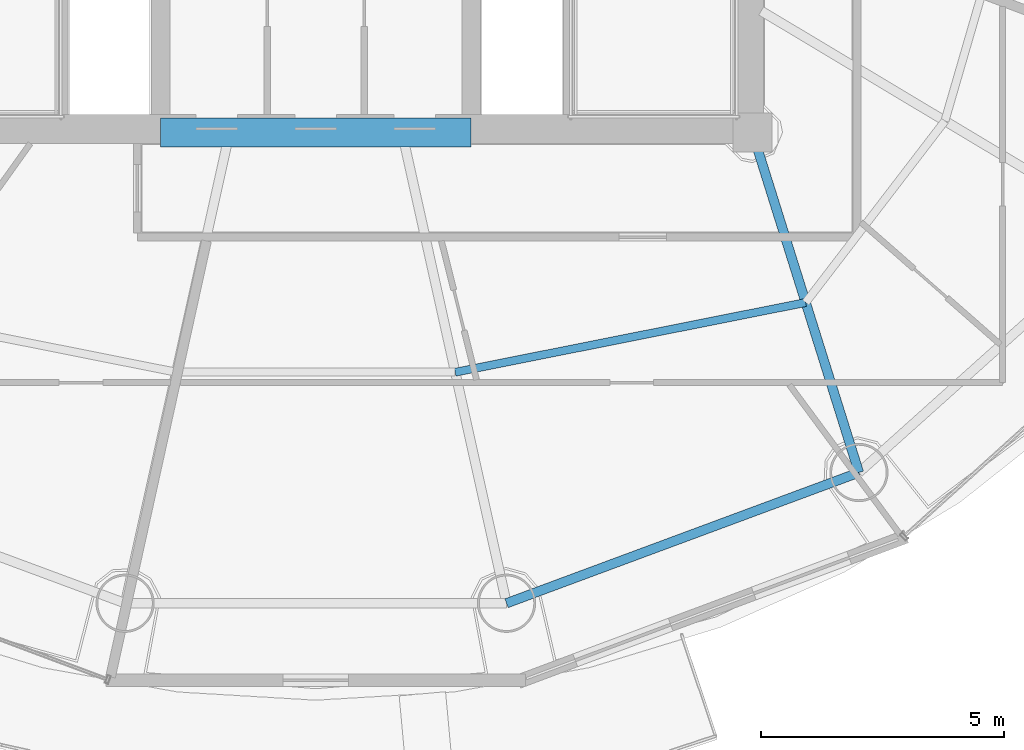
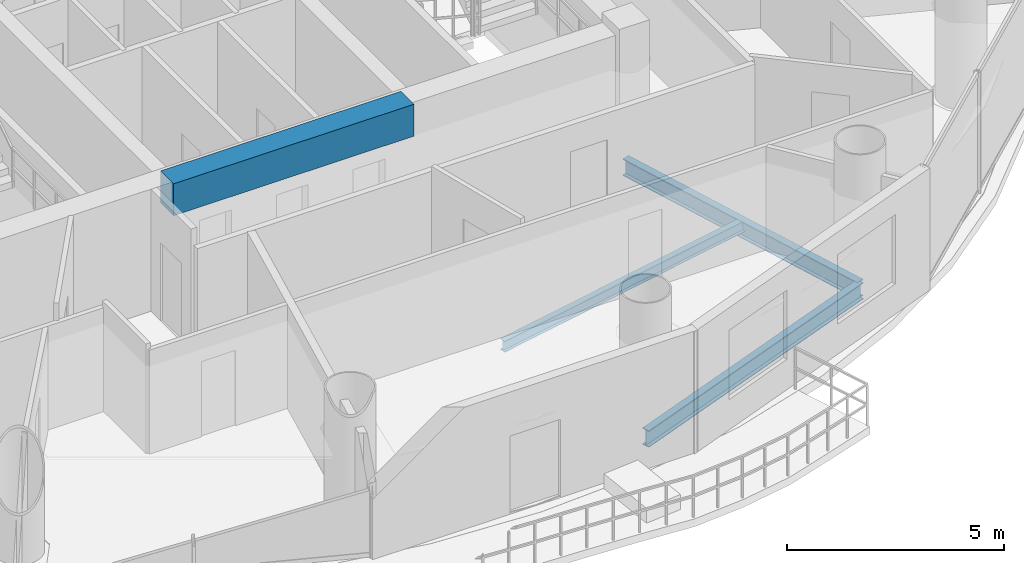
# One storey, part 6 of 26: 4 beams.
"""IFC4 building model written with IfcOpenShell, lengths in metres."""

import ifcopenshell
import ifcopenshell.guid

model = None  # the IFC model being written
_history = None  # IfcOwnerHistory: only IFC2X3 demands one
_inside = {}  # id of a spatial element -> (the spatial element, [elements in it])
_under = {}  # id of a project, library or spatial element -> (it, [spatial elements below it])
_declared = {}  # id of a project -> (the project, [libraries it declares])
_typed = {}  # id of a type object -> (the type object, [elements of that type])
_made_of = {}  # id of a material, layer set ... -> (it, [elements and type objects made of it])


def new_model(schema):
    """Start an empty IFC model of exactly this schema.

    Asked for "IFC4X3", IfcOpenShell would pick the latest addendum, in which some entities
    have other attributes; the version numbers below select the first issue.
    IFC2X3 requires an IfcOwnerHistory on every rooted entity: one is made here for all.
    """
    global model, _history
    if schema == "IFC4X3":
        model = ifcopenshell.file(schema_version=(4, 3, 0, 0))
    else:
        model = ifcopenshell.file(schema=schema)
    _inside.clear()
    _under.clear()
    _declared.clear()
    _typed.clear()
    _made_of.clear()
    _history = None
    if model.schema == "IFC2X3":
        org = make("IfcOrganization", Name="unknown")
        user = make(
            "IfcPersonAndOrganization",
            ThePerson=make("IfcPerson", FamilyName="unknown"),
            TheOrganization=org,
        )
        app = make(
            "IfcApplication",
            ApplicationDeveloper=org,
            Version="unknown",
            ApplicationFullName="unknown",
            ApplicationIdentifier="unknown",
        )
        _history = make(
            "IfcOwnerHistory",
            OwningUser=user,
            OwningApplication=app,
            ChangeAction="ADDED",
            CreationDate=0,
        )
    return model


def make(cls, **values):
    """One entity of the class cls with the attributes given. An attribute that is None is left unset."""
    return model.create_entity(
        cls, **{name: value for name, value in values.items() if value is not None}
    )


def rooted(cls, **values):
    """An entity with a GlobalId (a new one), such as an element, a storey or a relation."""
    return make(cls, GlobalId=ifcopenshell.guid.new(), OwnerHistory=_history, **values)


def si_unit(unit_type, name, prefix=None):
    """IfcSIUnit, for example si_unit("LENGTHUNIT", "METRE", prefix="MILLI")."""
    return make("IfcSIUnit", UnitType=unit_type, Prefix=prefix, Name=name)


def assignment(units):
    """IfcUnitAssignment: the units of a project."""
    return None if units is None else make("IfcUnitAssignment", Units=units)


def point(xyz):
    """IfcCartesianPoint."""
    return None if xyz is None else make("IfcCartesianPoint", Coordinates=xyz)


def direction(xyz):
    """IfcDirection."""
    return None if xyz is None else make("IfcDirection", DirectionRatios=xyz)


def frame(location, z_axis=None, x_axis=None):
    """IfcAxis2Placement3D, a coordinate frame: its origin and axes. An axis left out is left unset."""
    return make(
        "IfcAxis2Placement3D",
        Location=point(location),
        Axis=direction(z_axis),
        RefDirection=direction(x_axis),
    )


def frame_2d(location, x_axis=None):
    """IfcAxis2Placement2D, a coordinate frame in the plane: its origin and x axis."""
    return make(
        "IfcAxis2Placement2D", Location=point(location), RefDirection=direction(x_axis)
    )


def origin():
    """The frame at (0, 0, 0) with its axes left unset."""
    return frame((0.0, 0.0, 0.0))


def origin_2d():
    """The frame at (0, 0) in the plane with its x axis left unset."""
    return frame_2d((0.0, 0.0))


def place(relative_to, where):
    """IfcLocalPlacement: puts the frame where relative to a parent placement (None: the world)."""
    return make(
        "IfcLocalPlacement", PlacementRelTo=relative_to, RelativePlacement=where
    )


def context(
    kind, dimensions, precision=None, world=None, true_north=None, identifier=None
):
    """IfcGeometricRepresentationContext, for example the 3D "Model" context."""
    return make(
        "IfcGeometricRepresentationContext",
        ContextIdentifier=identifier,
        ContextType=kind,
        CoordinateSpaceDimension=dimensions,
        Precision=precision,
        WorldCoordinateSystem=world,
        TrueNorth=true_north,
    )


def subcontext(parent, identifier, kind, view, scale=None):
    """IfcGeometricRepresentationSubContext, for example "Body" below "Model"."""
    return make(
        "IfcGeometricRepresentationSubContext",
        ContextIdentifier=identifier,
        ContextType=kind,
        ParentContext=parent,
        TargetScale=scale,
        TargetView=view,
    )


def project(units=None, contexts=None):
    """IfcProject with its units and contexts."""
    return rooted(
        "IfcProject",
        Name="project",
        RepresentationContexts=contexts,
        UnitsInContext=assignment(units),
    )


def spatial(cls, under=None, at=None, **own):
    """A site, building, storey or space (cls), placed at a placement, below another one or the project."""
    s = rooted(cls, ObjectPlacement=at, **own)
    if under is not None:
        _under.setdefault(under.id(), (under, []))[1].append(s)
    return s


def profile(cls, at=None, kind="AREA", **sizes):
    """A parametric profile (cls). Its sizes go by their IFC names, for example OverallWidth=200.0."""
    return make(cls, ProfileType=kind, Position=at, **sizes)


def rectangle(**sizes):
    """IfcRectangleProfileDef."""
    return profile("IfcRectangleProfileDef", **sizes)


def i_section(**sizes):
    """IfcIShapeProfileDef."""
    return profile("IfcIShapeProfileDef", **sizes)


def extrude(swept, where, along, depth):
    """IfcExtrudedAreaSolid: the profile swept, set in the frame where, extruded along a direction by depth."""
    return make(
        "IfcExtrudedAreaSolid",
        SweptArea=swept,
        Position=where,
        ExtrudedDirection=direction(along),
        Depth=depth,
    )


def shape(context_of_items, identifier, shape_type, items):
    """IfcShapeRepresentation: the items that make up one representation, for example the "Body"."""
    return make(
        "IfcShapeRepresentation",
        ContextOfItems=context_of_items,
        RepresentationIdentifier=identifier,
        RepresentationType=shape_type,
        Items=items,
    )


def material(Name=None, Category=None):
    """IfcMaterial."""
    return make("IfcMaterial", Name=Name, Category=Category)


def material_profile(
    of_material, cross_section, Name=None, Category=None, Priority=None
):
    """IfcMaterialProfile: a cross section and its material."""
    return make(
        "IfcMaterialProfile",
        Name=Name,
        Material=of_material,
        Profile=cross_section,
        Priority=Priority,
        Category=Category,
    )


def profile_set(profiles, Name=None, composite=None):
    """IfcMaterialProfileSet."""
    return make(
        "IfcMaterialProfileSet",
        Name=Name,
        MaterialProfiles=profiles,
        CompositeProfile=composite,
    )


def made_of(thing, what):
    """Note that an element or type object is made of a material, layer set ...; save() writes the relation."""
    if what is not None:
        _made_of.setdefault(what.id(), (what, []))[1].append(thing)
    return thing


def type_object(cls, material=None, **own):
    """A type object (cls), such as IfcWallType, which elements share."""
    return made_of(rooted(cls, **own), material)


def element(
    cls,
    number,
    at=None,
    inside=None,
    cuts=None,
    type_object=None,
    material=None,
    context=None,
    identifier="Body",
    shape_type=None,
    held_by="IfcProductDefinitionShape",
    body=None,
    shapes=None,
    **own,
):
    """One element of the class cls, such as IfcWall. Its Tag is "e" and its number.

    at: its placement. inside: the storey or other place that contains it. cuts: it is an
    opening in that element (IfcRelVoidsElement). A single representation is given by context,
    identifier, shape_type and body (its items); several are given by shapes. held_by: the class
    of the entity that holds the representations. save() writes the other relations.
    """
    e = rooted(cls, Tag="e%d" % number, ObjectPlacement=at, **own)
    if body is not None:
        shapes = [shape(context, identifier, shape_type, body)]
    if shapes is not None:
        e.Representation = make(held_by, Representations=shapes)
    if inside is not None:
        _inside.setdefault(inside.id(), (inside, []))[1].append(e)
    if cuts is not None:
        rooted(
            "IfcRelVoidsElement", RelatingBuildingElement=cuts, RelatedOpeningElement=e
        )
    if type_object is not None:
        _typed.setdefault(type_object.id(), (type_object, []))[1].append(e)
    return made_of(e, material)


def aggregate(whole, parts):
    """IfcRelAggregates: a whole, such as a stair, and the parts it consists of."""
    return rooted("IfcRelAggregates", RelatingObject=whole, RelatedObjects=parts)


def save(model, path):
    """Write the relations noted so far, then the file.

    IfcRelAggregates (storeys below a building ...), IfcRelContainedInSpatialStructure (elements
    in a storey), IfcRelDefinesByType, IfcRelAssociatesMaterial and IfcRelDeclares: one each for
    every whole, place, type object, material and project.
    """
    for whole, parts in _under.values():
        aggregate(whole, parts)
    for where, things in _inside.values():
        rooted(
            "IfcRelContainedInSpatialStructure",
            RelatedElements=things,
            RelatingStructure=where,
        )
    for kind, things in _typed.values():
        rooted("IfcRelDefinesByType", RelatedObjects=things, RelatingType=kind)
    for what, things in _made_of.values():
        rooted("IfcRelAssociatesMaterial", RelatedObjects=things, RelatingMaterial=what)
    for by, libraries in _declared.values():
        rooted("IfcRelDeclares", RelatingContext=by, RelatedDefinitions=libraries)
    model.write(path)


model = new_model("IFC4")

# Units and contexts
model_context = context("Model", 3, precision=1e-05, world=origin(), true_north=direction((-0.2419218956, 0.970295726276)))
body_context = subcontext(model_context, "Body", "Model", "MODEL_VIEW")
ifc_project = project(units=[si_unit("LENGTHUNIT", "METRE"), si_unit("AREAUNIT", "SQUARE_METRE"), si_unit("VOLUMEUNIT", "CUBIC_METRE"), si_unit("PLANEANGLEUNIT", "RADIAN"), si_unit("MASSUNIT", "GRAM", prefix="KILO")], contexts=[model_context])

# Site, building, storey
site_placement = place(None, origin())
site = spatial("IfcSite", under=ifc_project, at=site_placement, CompositionType="ELEMENT")
building_placement = place(site_placement, origin())
building = spatial("IfcBuilding", under=site, at=building_placement, Name="Cobrevalo Terracotta Tower", CompositionType="ELEMENT")
storey_placement = place(building_placement, frame((0.0, 0.0, 235.60009765625)))
storey = spatial("IfcBuildingStorey", under=building, at=storey_placement, Name="L62", CompositionType="ELEMENT", Elevation=235.60009765625)

# Beams
ifc_material_1 = material(Name="Concrete C60", Category="concrete")
ifc_material_profile_1 = material_profile(ifc_material_1, rectangle(XDim=0.60009765625, YDim=0.89990234375, at=origin_2d()), Name="RC CB 600x900")
ifc_profile_set_1 = profile_set([ifc_material_profile_1], Name="Concrete C60")
beam_type_1 = type_object("IfcBeamType", Name="Structural Beam RC CB 600x900 (Concrete C60)", PredefinedType="BEAM", material=ifc_profile_set_1)
beam_1_placement = place(storey_placement, frame((34.800048828125, 18.800048828125, 2.98486328125), z_axis=(1.0, 0.0, 0.0), x_axis=(0.0, 1.0, 0.0)))
element("IfcBeam", 1, at=beam_1_placement, inside=storey, type_object=beam_type_1, Name="L62 core coupling beam 1", PredefinedType="BEAM", context=body_context, shape_type="SweptSolid", body=[
    extrude(rectangle(XDim=0.60009765625, YDim=0.89990234375, at=origin_2d()), origin(), (0.0, 0.0, 1.0), 6.39990234375),
])
ifc_material_2 = material(Name="Steel S355", Category="steel")
ifc_material_profile_2 = material_profile(ifc_material_2, i_section(OverallWidth=0.194091796875, OverallDepth=0.468994140625, WebThickness=0.011474609375, FlangeThickness=0.0205078125, at=origin_2d()), Name="W 460x106")
ifc_profile_set_2 = profile_set([ifc_material_profile_2], Name="Steel S355")
beam_type_2 = type_object("IfcBeamType", Name="Structural Beam W 460x106 (Steel S355)", PredefinedType="BEAM", material=ifc_profile_set_2)
beam_2_placement = place(storey_placement, frame((49.19482421875, 11.7919921875, -0.49951171875), z_axis=(-0.298871212691, 0.954293454984, 0.0), x_axis=(-0.954293454984, -0.298871212691, 0.0)))
element("IfcBeam", 2, at=beam_2_placement, inside=storey, type_object=beam_type_2, Name="L62 radial floor girder 14", PredefinedType="BEAM", context=body_context, shape_type="SweptSolid", body=[
    extrude(i_section(OverallWidth=0.194091796875, OverallDepth=0.468994140625, WebThickness=0.011474609375, FlangeThickness=0.0205078125, at=origin_2d()), origin(), (0.0, 0.0, 1.0), 7.34375),
])
ifc_material_profile_3 = material_profile(ifc_material_2, i_section(OverallWidth=0.1650390625, OverallDepth=0.31005859375, WebThickness=0.005859375, FlangeThickness=0.009765625, at=origin_2d()), Name="W 310x38.7")
ifc_profile_set_3 = profile_set([ifc_material_profile_3], Name="Steel S355")
beam_type_3 = type_object("IfcBeamType", Name="Structural Joist W 310x38.7 (Steel S355)", PredefinedType="JOIST", material=ifc_profile_set_3)
beam_3_placement = place(storey_placement, frame((40.873779296875, 13.8583984375, -0.420166015625), z_axis=(0.980768907748, 0.195172614871, 0.0), x_axis=(-0.195172614871, 0.980768907748, 0.0)))
element("IfcBeam", 3, at=beam_3_placement, inside=storey, type_object=beam_type_3, Name="L62 circumferential secondary floor joist 13", PredefinedType="JOIST", context=body_context, shape_type="SweptSolid", body=[
    extrude(i_section(OverallWidth=0.1650390625, OverallDepth=0.31005859375, WebThickness=0.005859375, FlangeThickness=0.009765625, at=origin_2d()), origin(), (0.0, 0.0, 1.0), 7.365234375),
])
ifc_material_profile_4 = material_profile(ifc_material_2, i_section(OverallWidth=0.194091796875, OverallDepth=0.468994140625, WebThickness=0.011474609375, FlangeThickness=0.0205078125, at=origin_2d()), Name="W 460x106")
ifc_profile_set_4 = profile_set([ifc_material_profile_4], Name="Steel S355")
beam_type_4 = type_object("IfcBeamType", Name="Structural Spandrel W 460x106 (Steel S355)", PredefinedType="SPANDREL", material=ifc_profile_set_4)
beam_4_placement = place(storey_placement, frame((41.93115234375, 9.096923828125, -0.49951171875), z_axis=(0.937545996665, 0.347861328892, 0.0), x_axis=(-0.347861328892, 0.937545996665, 0.0)))
element("IfcBeam", 4, at=beam_4_placement, inside=storey, type_object=beam_type_4, Name="L62 perimeter ring spandrel 13", PredefinedType="SPANDREL", context=body_context, shape_type="SweptSolid", body=[
    extrude(i_section(OverallWidth=0.194091796875, OverallDepth=0.468994140625, WebThickness=0.011474609375, FlangeThickness=0.0205078125, at=origin_2d()), origin(), (0.0, 0.0, 1.0), 7.74755859375),
])

save(model, "model.ifc")
